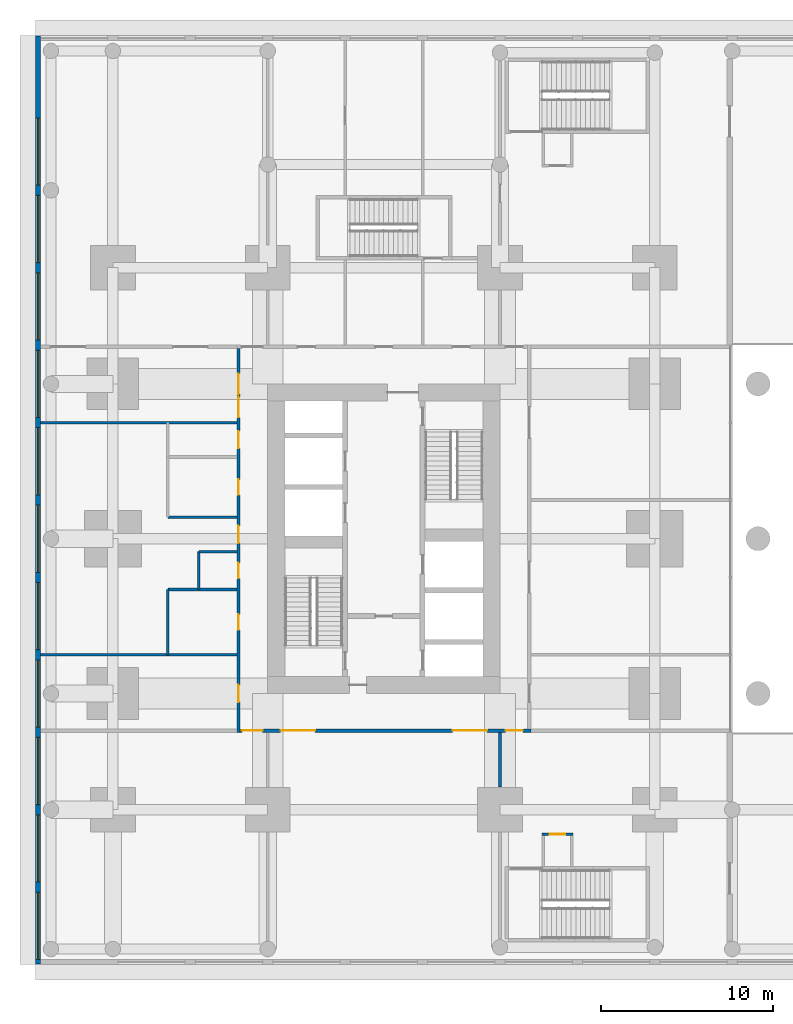
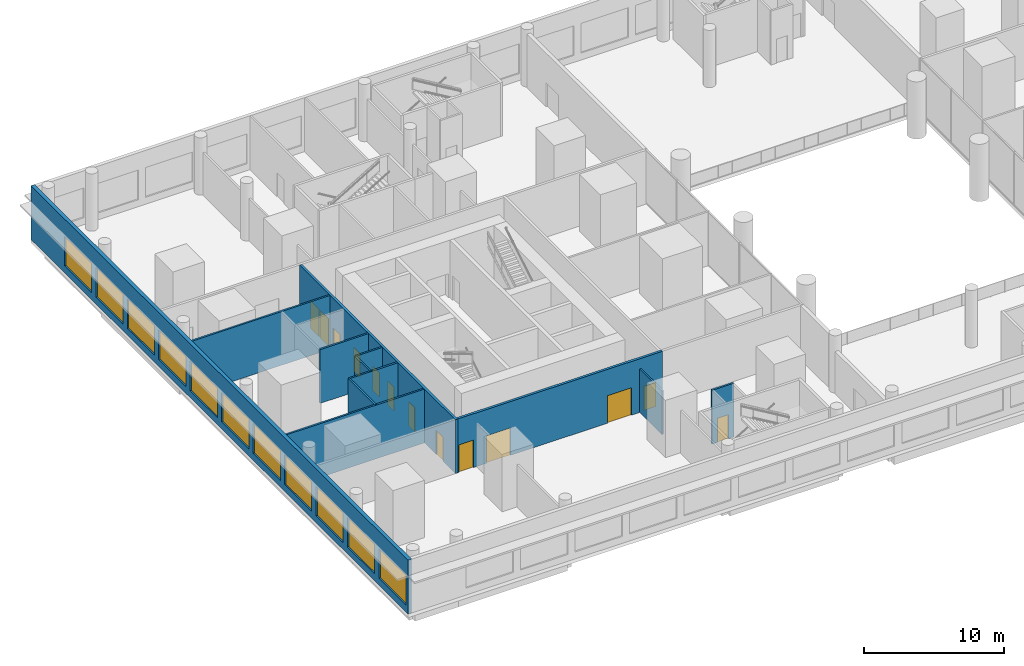
# One storey, part 9 of 21: 13 doors, 12 walls, 11 windows, 24 openings.
"""IFC4 building model written with IfcOpenShell, lengths in metres."""

from ifc_helpers import new_model, si_unit, direction, frame, frame_2d, origin, place, context, subcontext, project, spatial, rectangle, extrude, material, layer, layer_set, type_object, element, fill, save


model = new_model("IFC4")

# Units and contexts
model_context = context("Model", 3, precision=1e-05, world=origin(), true_north=direction((0.0, 1.0)))
body_context = subcontext(model_context, "Body", "Model", "MODEL_VIEW")
ifc_project = project(units=[si_unit("LENGTHUNIT", "METRE"), si_unit("AREAUNIT", "SQUARE_METRE"), si_unit("VOLUMEUNIT", "CUBIC_METRE"), si_unit("PLANEANGLEUNIT", "RADIAN"), si_unit("MASSUNIT", "GRAM", prefix="KILO")], contexts=[model_context])

# Site, building, storey
site_placement = place(None, origin())
site = spatial("IfcSite", under=ifc_project, at=site_placement, CompositionType="ELEMENT")
building_placement = place(site_placement, origin())
building = spatial("IfcBuilding", under=site, at=building_placement, Name="Namib Vertical Campus", CompositionType="ELEMENT")
storey_placement = place(building_placement, frame((0.0, 0.0, 6.0)))
storey = spatial("IfcBuildingStorey", under=building, at=storey_placement, Name="L01", CompositionType="ELEMENT", Elevation=6.0)

# Wall, openings, doors
ifc_material_1 = material(Name="Concrete masonry", Category="masonry")
ifc_layer_1 = layer(ifc_material_1, 0.199951171875)
ifc_layer_set_1 = layer_set([ifc_layer_1], Name="Corridor wall 200")
wall_type_1 = type_object("IfcWallType", Name="Corridor wall 200", PredefinedType="SOLIDWALL", material=ifc_layer_set_1)
wall_1_placement = place(storey_placement, frame((11.89990234375, 9.10009765625, 0.0), z_axis=(0.0, 0.0, 1.0), x_axis=(1.0, 0.0, 0.0)))
wall_1 = element("IfcWall", 1, at=wall_1_placement, inside=storey, type_object=wall_type_1, Name="Corridor wall A L01 CS", PredefinedType="SOLIDWALL", context=body_context, shape_type="SweptSolid", body=[
    extrude(rectangle(XDim=16.900146484375, YDim=0.199951171875, at=frame_2d((8.4501953125, 0.0))), origin(), (0.0, 0.0, 1.0), 4.699951171875),
])
opening_1_placement = place(wall_1_placement, frame((0.10009765625, 0.0, 0.0)))
opening_1 = element("IfcOpeningElement", 2, at=opening_1_placement, cuts=wall_1, Name="Opening AD2", PredefinedType="OPENING", context=body_context, shape_type="SweptSolid", body=[
    extrude(rectangle(XDim=1.199951171875, YDim=2.39990234375, at=frame_2d((0.60009765625, 1.199951171875))), frame((0.0, 0.10986328125, 0.0), z_axis=(0.0, -1.0, 0.0), x_axis=(1.0, 0.0, 0.0)), (0.0, 0.0, 1.0), 0.219970703125),
])
opening_2_placement = place(wall_1_placement, frame((2.35009765625, 0.0, 0.0)))
opening_2 = element("IfcOpeningElement", 3, at=opening_2_placement, cuts=wall_1, Name="Opening AD1", PredefinedType="OPENING", context=body_context, shape_type="SweptSolid", body=[
    extrude(rectangle(XDim=2.0, YDim=2.39990234375, at=frame_2d((1.0, 1.199951171875))), frame((0.0, 0.10986328125, 0.0), z_axis=(0.0, -1.0, 0.0), x_axis=(1.0, 0.0, 0.0)), (0.0, 0.0, 1.0), 0.219970703125),
])
opening_3_placement = place(wall_1_placement, frame((12.35009765625, 0.0, 0.0)))
opening_3 = element("IfcOpeningElement", 4, at=opening_3_placement, cuts=wall_1, Name="Opening AD1", PredefinedType="OPENING", context=body_context, shape_type="SweptSolid", body=[
    extrude(rectangle(XDim=2.0, YDim=2.39990234375, at=frame_2d((1.0, 1.199951171875))), frame((0.0, 0.10986328125, 0.0), z_axis=(0.0, -1.0, 0.0), x_axis=(1.0, 0.0, 0.0)), (0.0, 0.0, 1.0), 0.219970703125),
])
opening_4_placement = place(wall_1_placement, frame((15.425048828125, 0.0, 0.0)))
opening_4 = element("IfcOpeningElement", 5, at=opening_4_placement, cuts=wall_1, Name="Opening CD1", PredefinedType="OPENING", context=body_context, shape_type="SweptSolid", body=[
    extrude(rectangle(XDim=1.0, YDim=2.10009765625, at=frame_2d((0.5, 1.050048828125))), frame((0.0, 0.10986328125, 0.0), z_axis=(0.0, -1.0, 0.0), x_axis=(1.0, 0.0, 0.0)), (0.0, 0.0, 1.0), 0.219970703125),
])
ifc_material_2 = material(Name="Timber fire door leaf", Category="wood")
door_type_1 = type_object("IfcDoorType", Name="Corridor door 1000x2100 20 min", OperationType="SINGLE_SWING_LEFT", PredefinedType="DOOR", material=ifc_material_2)
door_1_placement = place(opening_4_placement, frame((1.0, 0.0, 0.0), z_axis=(0.0, 0.0, 1.0), x_axis=(-1.0, 0.0, 0.0)))
door_1 = element("IfcDoor", 6, at=door_1_placement, inside=storey, type_object=door_type_1, Name="Door CD1 A01-03", OperationType="SINGLE_SWING_RIGHT", OverallHeight=2.10009765625, OverallWidth=1.0, PredefinedType="DOOR", context=body_context, shape_type="SweptSolid", body=[
    extrude(rectangle(XDim=1.0, YDim=2.10009765625, at=frame_2d((0.5, 1.050048828125))), frame((0.0, 0.02490234375, 0.0), z_axis=(0.0, -1.0, 0.0), x_axis=(1.0, 0.0, 0.0)), (0.0, 0.0, 1.0), 0.050048828125),
])
fill(opening_4, door_1)
ifc_material_3 = material(Name="Timber acoustic fire door leaf", Category="wood")
door_type_2 = type_object("IfcDoorType", Name="Lecture room door single 1200x2400 acoustic", OperationType="SINGLE_SWING_LEFT", PredefinedType="DOOR", material=ifc_material_3)
door_2_placement = place(opening_1_placement, frame((1.199951171875, 0.0, 0.0), z_axis=(0.0, 0.0, 1.0), x_axis=(-1.0, 0.0, 0.0)))
door_2 = element("IfcDoor", 7, at=door_2_placement, inside=storey, type_object=door_type_2, Name="Door AD2 A01-01", OperationType="SINGLE_SWING_LEFT", OverallHeight=2.39990234375, OverallWidth=1.199951171875, PredefinedType="DOOR", context=body_context, shape_type="SweptSolid", body=[
    extrude(rectangle(XDim=1.199951171875, YDim=2.39990234375, at=frame_2d((0.60009765625, 1.199951171875))), frame((0.0, 0.02490234375, 0.0), z_axis=(0.0, -1.0, 0.0), x_axis=(1.0, 0.0, 0.0)), (0.0, 0.0, 1.0), 0.050048828125),
])
fill(opening_1, door_2)
ifc_material_4 = material(Name="Timber acoustic fire door leaf", Category="wood")
door_type_3 = type_object("IfcDoorType", Name="Lecture theatre door pair 2000x2400 acoustic", OperationType="DOUBLE_DOOR_SINGLE_SWING", PredefinedType="DOOR", material=ifc_material_4)
door_3_placement = place(opening_2_placement, origin())
door_3 = element("IfcDoor", 8, at=door_3_placement, inside=storey, type_object=door_type_3, Name="Door AD1 A01-02", OperationType="DOUBLE_DOOR_SINGLE_SWING", OverallHeight=2.39990234375, OverallWidth=2.0, PredefinedType="DOOR", context=body_context, shape_type="SweptSolid", body=[
    extrude(rectangle(XDim=2.0, YDim=2.39990234375, at=frame_2d((1.0, 1.199951171875))), frame((0.0, 0.02490234375, 0.0), z_axis=(0.0, -1.0, 0.0), x_axis=(1.0, 0.0, 0.0)), (0.0, 0.0, 1.0), 0.050048828125),
])
fill(opening_2, door_3)
door_4_placement = place(opening_3_placement, origin())
door_4 = element("IfcDoor", 9, at=door_4_placement, inside=storey, type_object=door_type_3, Name="Door AD1 A01-02 2", OperationType="DOUBLE_DOOR_SINGLE_SWING", OverallHeight=2.39990234375, OverallWidth=2.0, PredefinedType="DOOR", context=body_context, shape_type="SweptSolid", body=[
    extrude(rectangle(XDim=2.0, YDim=2.39990234375, at=frame_2d((1.0, 1.199951171875))), frame((0.0, 0.02490234375, 0.0), z_axis=(0.0, -1.0, 0.0), x_axis=(1.0, 0.0, 0.0)), (0.0, 0.0, 1.0), 0.050048828125),
])
fill(opening_3, door_4)

wall_2_placement = place(storey_placement, frame((11.800048828125, 31.300048828125, 0.0), z_axis=(0.0, 0.0, 1.0), x_axis=(0.0, -1.0, 0.0)))
wall_2 = element("IfcWall", 10, at=wall_2_placement, inside=storey, type_object=wall_type_1, Name="Corridor wall A L01 CW", PredefinedType="SOLIDWALL", context=body_context, shape_type="SweptSolid", body=[
    extrude(rectangle(XDim=22.300048828125, YDim=0.199951171875, at=frame_2d((11.14990234375, 0.0))), origin(), (0.0, 0.0, 1.0), 4.699951171875),
])
opening_5_placement = place(wall_2_placement, frame((19.550048828125, 0.0, 0.0)))
opening_5 = element("IfcOpeningElement", 11, at=opening_5_placement, cuts=wall_2, Name="Opening CD1", PredefinedType="OPENING", context=body_context, shape_type="SweptSolid", body=[
    extrude(rectangle(XDim=1.0, YDim=2.10009765625, at=frame_2d((0.5, 1.050048828125))), frame((0.0, 0.10986328125, 0.0), z_axis=(0.0, -1.0, 0.0), x_axis=(1.0, 0.0, 0.0)), (0.0, 0.0, 1.0), 0.219970703125),
])
opening_6_placement = place(wall_2_placement, frame((15.449951171875, 0.0, 0.0)))
opening_6 = element("IfcOpeningElement", 12, at=opening_6_placement, cuts=wall_2, Name="Opening CD3", PredefinedType="OPENING", context=body_context, shape_type="SweptSolid", body=[
    extrude(rectangle(XDim=0.89990234375, YDim=2.10009765625, at=frame_2d((0.449951171875, 1.050048828125))), frame((0.0, 0.10986328125, 0.0), z_axis=(0.0, -1.0, 0.0), x_axis=(1.0, 0.0, 0.0)), (0.0, 0.0, 1.0), 0.219970703125),
])
opening_7_placement = place(wall_2_placement, frame((12.449951171875, 0.0, 0.0)))
opening_7 = element("IfcOpeningElement", 13, at=opening_7_placement, cuts=wall_2, Name="Opening CD3", PredefinedType="OPENING", context=body_context, shape_type="SweptSolid", body=[
    extrude(rectangle(XDim=0.89990234375, YDim=2.10009765625, at=frame_2d((0.449951171875, 1.050048828125))), frame((0.0, 0.10986328125, 0.0), z_axis=(0.0, -1.0, 0.0), x_axis=(1.0, 0.0, 0.0)), (0.0, 0.0, 1.0), 0.219970703125),
])
opening_8_placement = place(wall_2_placement, frame((7.60009765625, 0.0, 0.0)))
opening_8 = element("IfcOpeningElement", 14, at=opening_8_placement, cuts=wall_2, Name="Opening CD3", PredefinedType="OPENING", context=body_context, shape_type="SweptSolid", body=[
    extrude(rectangle(XDim=0.89990234375, YDim=2.10009765625, at=frame_2d((0.449951171875, 1.050048828125))), frame((0.0, 0.10986328125, 0.0), z_axis=(0.0, -1.0, 0.0), x_axis=(1.0, 0.0, 0.0)), (0.0, 0.0, 1.0), 0.219970703125),
])
opening_9_placement = place(wall_2_placement, frame((4.800048828125, 0.0, 0.0)))
opening_9 = element("IfcOpeningElement", 15, at=opening_9_placement, cuts=wall_2, Name="Opening CD1", PredefinedType="OPENING", context=body_context, shape_type="SweptSolid", body=[
    extrude(rectangle(XDim=1.0, YDim=2.10009765625, at=frame_2d((0.5, 1.050048828125))), frame((0.0, 0.10986328125, 0.0), z_axis=(0.0, -1.0, 0.0), x_axis=(1.0, 0.0, 0.0)), (0.0, 0.0, 1.0), 0.219970703125),
])
opening_10_placement = place(wall_2_placement, frame((10.300048828125, 0.0, 0.0)))
opening_10 = element("IfcOpeningElement", 16, at=opening_10_placement, cuts=wall_2, Name="Opening CD1", PredefinedType="OPENING", context=body_context, shape_type="SweptSolid", body=[
    extrude(rectangle(XDim=1.0, YDim=2.10009765625, at=frame_2d((0.5, 1.050048828125))), frame((0.0, 0.10986328125, 0.0), z_axis=(0.0, -1.0, 0.0), x_axis=(1.0, 0.0, 0.0)), (0.0, 0.0, 1.0), 0.219970703125),
])
opening_11_placement = place(wall_2_placement, frame((2.800048828125, 0.0, 0.0)))
opening_11 = element("IfcOpeningElement", 17, at=opening_11_placement, cuts=wall_2, Name="Opening AD2", PredefinedType="OPENING", context=body_context, shape_type="SweptSolid", body=[
    extrude(rectangle(XDim=1.199951171875, YDim=2.39990234375, at=frame_2d((0.60009765625, 1.199951171875))), frame((0.0, 0.10986328125, 0.0), z_axis=(0.0, -1.0, 0.0), x_axis=(1.0, 0.0, 0.0)), (0.0, 0.0, 1.0), 0.219970703125),
])
opening_12_placement = place(wall_2_placement, frame((1.449951171875, 0.0, 0.0)))
opening_12 = element("IfcOpeningElement", 18, at=opening_12_placement, cuts=wall_2, Name="Opening AD2", PredefinedType="OPENING", context=body_context, shape_type="SweptSolid", body=[
    extrude(rectangle(XDim=1.199951171875, YDim=2.39990234375, at=frame_2d((0.60009765625, 1.199951171875))), frame((0.0, 0.10986328125, 0.0), z_axis=(0.0, -1.0, 0.0), x_axis=(1.0, 0.0, 0.0)), (0.0, 0.0, 1.0), 0.219970703125),
])
door_5_placement = place(opening_5_placement, frame((1.0, 0.0, 0.0), z_axis=(0.0, 0.0, 1.0), x_axis=(-1.0, 0.0, 0.0)))
door_5 = element("IfcDoor", 19, at=door_5_placement, inside=storey, type_object=door_type_1, Name="Door CD1 A01-11", OperationType="SINGLE_SWING_RIGHT", OverallHeight=2.10009765625, OverallWidth=1.0, PredefinedType="DOOR", context=body_context, shape_type="SweptSolid", body=[
    extrude(rectangle(XDim=1.0, YDim=2.10009765625, at=frame_2d((0.5, 1.050048828125))), frame((0.0, 0.02490234375, 0.0), z_axis=(0.0, -1.0, 0.0), x_axis=(1.0, 0.0, 0.0)), (0.0, 0.0, 1.0), 0.050048828125),
])
fill(opening_5, door_5)
door_6_placement = place(opening_9_placement, frame((1.0, 0.0, 0.0), z_axis=(0.0, 0.0, 1.0), x_axis=(-1.0, 0.0, 0.0)))
door_6 = element("IfcDoor", 20, at=door_6_placement, inside=storey, type_object=door_type_1, Name="Door CD1 A01-15", OperationType="SINGLE_SWING_RIGHT", OverallHeight=2.10009765625, OverallWidth=1.0, PredefinedType="DOOR", context=body_context, shape_type="SweptSolid", body=[
    extrude(rectangle(XDim=1.0, YDim=2.10009765625, at=frame_2d((0.5, 1.050048828125))), frame((0.0, 0.02490234375, 0.0), z_axis=(0.0, -1.0, 0.0), x_axis=(1.0, 0.0, 0.0)), (0.0, 0.0, 1.0), 0.050048828125),
])
fill(opening_9, door_6)
door_7_placement = place(opening_10_placement, frame((1.0, 0.0, 0.0), z_axis=(0.0, 0.0, 1.0), x_axis=(-1.0, 0.0, 0.0)))
door_7 = element("IfcDoor", 21, at=door_7_placement, inside=storey, type_object=door_type_1, Name="Door CD1 A01-16", OperationType="SINGLE_SWING_RIGHT", OverallHeight=2.10009765625, OverallWidth=1.0, PredefinedType="DOOR", context=body_context, shape_type="SweptSolid", body=[
    extrude(rectangle(XDim=1.0, YDim=2.10009765625, at=frame_2d((0.5, 1.050048828125))), frame((0.0, 0.02490234375, 0.0), z_axis=(0.0, -1.0, 0.0), x_axis=(1.0, 0.0, 0.0)), (0.0, 0.0, 1.0), 0.050048828125),
])
fill(opening_10, door_7)
ifc_material_5 = material(Name="Timber fire door leaf", Category="wood")
door_type_4 = type_object("IfcDoorType", Name="Corridor toilet door 900x2100 20 min", OperationType="SINGLE_SWING_LEFT", PredefinedType="DOOR", material=ifc_material_5)
door_8_placement = place(opening_6_placement, frame((0.89990234375, 0.0, 0.0), z_axis=(0.0, 0.0, 1.0), x_axis=(-1.0, 0.0, 0.0)))
door_8 = element("IfcDoor", 22, at=door_8_placement, inside=storey, type_object=door_type_4, Name="Door CD3 A01-12", OperationType="SINGLE_SWING_RIGHT", OverallHeight=2.10009765625, OverallWidth=0.89990234375, PredefinedType="DOOR", context=body_context, shape_type="SweptSolid", body=[
    extrude(rectangle(XDim=0.89990234375, YDim=2.10009765625, at=frame_2d((0.449951171875, 1.050048828125))), frame((0.0, 0.02490234375, 0.0), z_axis=(0.0, -1.0, 0.0), x_axis=(1.0, 0.0, 0.0)), (0.0, 0.0, 1.0), 0.050048828125),
])
fill(opening_6, door_8)
door_9_placement = place(opening_7_placement, frame((0.89990234375, 0.0, 0.0), z_axis=(0.0, 0.0, 1.0), x_axis=(-1.0, 0.0, 0.0)))
door_9 = element("IfcDoor", 23, at=door_9_placement, inside=storey, type_object=door_type_4, Name="Door CD3 A01-13", OperationType="SINGLE_SWING_RIGHT", OverallHeight=2.10009765625, OverallWidth=0.89990234375, PredefinedType="DOOR", context=body_context, shape_type="SweptSolid", body=[
    extrude(rectangle(XDim=0.89990234375, YDim=2.10009765625, at=frame_2d((0.449951171875, 1.050048828125))), frame((0.0, 0.02490234375, 0.0), z_axis=(0.0, -1.0, 0.0), x_axis=(1.0, 0.0, 0.0)), (0.0, 0.0, 1.0), 0.050048828125),
])
fill(opening_7, door_9)
door_10_placement = place(opening_8_placement, frame((0.89990234375, 0.0, 0.0), z_axis=(0.0, 0.0, 1.0), x_axis=(-1.0, 0.0, 0.0)))
door_10 = element("IfcDoor", 24, at=door_10_placement, inside=storey, type_object=door_type_4, Name="Door CD3 A01-14", OperationType="SINGLE_SWING_RIGHT", OverallHeight=2.10009765625, OverallWidth=0.89990234375, PredefinedType="DOOR", context=body_context, shape_type="SweptSolid", body=[
    extrude(rectangle(XDim=0.89990234375, YDim=2.10009765625, at=frame_2d((0.449951171875, 1.050048828125))), frame((0.0, 0.02490234375, 0.0), z_axis=(0.0, -1.0, 0.0), x_axis=(1.0, 0.0, 0.0)), (0.0, 0.0, 1.0), 0.050048828125),
])
fill(opening_8, door_10)
door_11_placement = place(opening_11_placement, origin())
door_11 = element("IfcDoor", 25, at=door_11_placement, inside=storey, type_object=door_type_2, Name="Door AD2 A01-17", OperationType="SINGLE_SWING_LEFT", OverallHeight=2.39990234375, OverallWidth=1.199951171875, PredefinedType="DOOR", context=body_context, shape_type="SweptSolid", body=[
    extrude(rectangle(XDim=1.199951171875, YDim=2.39990234375, at=frame_2d((0.60009765625, 1.199951171875))), frame((0.0, 0.02490234375, 0.0), z_axis=(0.0, -1.0, 0.0), x_axis=(1.0, 0.0, 0.0)), (0.0, 0.0, 1.0), 0.050048828125),
])
fill(opening_11, door_11)
door_12_placement = place(opening_12_placement, origin())
door_12 = element("IfcDoor", 26, at=door_12_placement, inside=storey, type_object=door_type_2, Name="Door AD2 A01-17 2", OperationType="SINGLE_SWING_LEFT", OverallHeight=2.39990234375, OverallWidth=1.199951171875, PredefinedType="DOOR", context=body_context, shape_type="SweptSolid", body=[
    extrude(rectangle(XDim=1.199951171875, YDim=2.39990234375, at=frame_2d((0.60009765625, 1.199951171875))), frame((0.0, 0.02490234375, 0.0), z_axis=(0.0, -1.0, 0.0), x_axis=(1.0, 0.0, 0.0)), (0.0, 0.0, 1.0), 0.050048828125),
])
fill(opening_12, door_12)

# Wall, openings, windows
ifc_material_6 = material(Name="Concrete C40/50", Category="concrete")
ifc_layer_2 = layer(ifc_material_6, 0.300048828125)
ifc_layer_set_2 = layer_set([ifc_layer_2], Name="Concrete C40/50")
wall_type_2 = type_object("IfcWallType", Name="External wall 300 board-marked concrete", PredefinedType="STANDARD", material=ifc_layer_set_2)
wall_3_placement = place(storey_placement, frame((0.14990234375, 49.47998046875, 0.0), z_axis=(0.0, 0.0, 1.0), x_axis=(0.0, -1.0, 0.0)))
wall_3 = element("IfcWall", 27, at=wall_3_placement, inside=storey, type_object=wall_type_2, Name="External wall L01 F4", PredefinedType="STANDARD", context=body_context, shape_type="SweptSolid", body=[
    extrude(rectangle(XDim=53.9599609375, YDim=0.300048828125, at=frame_2d((26.97998046875, 0.0))), origin(), (0.0, 0.0, 1.0), 4.699951171875),
])
opening_13_placement = place(wall_3_placement, frame((49.780029296875, 0.0, 0.60009765625)))
opening_13 = element("IfcOpeningElement", 28, at=opening_13_placement, cuts=wall_3, Name="Opening W2", PredefinedType="OPENING", context=body_context, shape_type="SweptSolid", body=[
    extrude(rectangle(XDim=3.89990234375, YDim=2.60009765625, at=frame_2d((1.949951171875, 1.300048828125))), frame((0.0, 0.159912109375, 0.0), z_axis=(0.0, -1.0, 0.0), x_axis=(1.0, 0.0, 0.0)), (0.0, 0.0, 1.0), 0.320068359375),
])
opening_14_placement = place(wall_3_placement, frame((45.280029296875, 0.0, 0.60009765625)))
opening_14 = element("IfcOpeningElement", 29, at=opening_14_placement, cuts=wall_3, Name="Opening W2", PredefinedType="OPENING", context=body_context, shape_type="SweptSolid", body=[
    extrude(rectangle(XDim=3.89990234375, YDim=2.60009765625, at=frame_2d((1.949951171875, 1.300048828125))), frame((0.0, 0.159912109375, 0.0), z_axis=(0.0, -1.0, 0.0), x_axis=(1.0, 0.0, 0.0)), (0.0, 0.0, 1.0), 0.320068359375),
])
opening_15_placement = place(wall_3_placement, frame((40.780029296875, 0.0, 0.60009765625)))
opening_15 = element("IfcOpeningElement", 30, at=opening_15_placement, cuts=wall_3, Name="Opening W2", PredefinedType="OPENING", context=body_context, shape_type="SweptSolid", body=[
    extrude(rectangle(XDim=3.89990234375, YDim=2.60009765625, at=frame_2d((1.949951171875, 1.300048828125))), frame((0.0, 0.159912109375, 0.0), z_axis=(0.0, -1.0, 0.0), x_axis=(1.0, 0.0, 0.0)), (0.0, 0.0, 1.0), 0.320068359375),
])
opening_16_placement = place(wall_3_placement, frame((36.280029296875, 0.0, 0.60009765625)))
opening_16 = element("IfcOpeningElement", 31, at=opening_16_placement, cuts=wall_3, Name="Opening W2", PredefinedType="OPENING", context=body_context, shape_type="SweptSolid", body=[
    extrude(rectangle(XDim=3.89990234375, YDim=2.60009765625, at=frame_2d((1.949951171875, 1.300048828125))), frame((0.0, 0.159912109375, 0.0), z_axis=(0.0, -1.0, 0.0), x_axis=(1.0, 0.0, 0.0)), (0.0, 0.0, 1.0), 0.320068359375),
])
opening_17_placement = place(wall_3_placement, frame((31.780029296875, 0.0, 0.60009765625)))
opening_17 = element("IfcOpeningElement", 32, at=opening_17_placement, cuts=wall_3, Name="Opening W2", PredefinedType="OPENING", context=body_context, shape_type="SweptSolid", body=[
    extrude(rectangle(XDim=3.89990234375, YDim=2.60009765625, at=frame_2d((1.949951171875, 1.300048828125))), frame((0.0, 0.159912109375, 0.0), z_axis=(0.0, -1.0, 0.0), x_axis=(1.0, 0.0, 0.0)), (0.0, 0.0, 1.0), 0.320068359375),
])
opening_18_placement = place(wall_3_placement, frame((27.280029296875, 0.0, 0.60009765625)))
opening_18 = element("IfcOpeningElement", 33, at=opening_18_placement, cuts=wall_3, Name="Opening W2", PredefinedType="OPENING", context=body_context, shape_type="SweptSolid", body=[
    extrude(rectangle(XDim=3.89990234375, YDim=2.60009765625, at=frame_2d((1.949951171875, 1.300048828125))), frame((0.0, 0.159912109375, 0.0), z_axis=(0.0, -1.0, 0.0), x_axis=(1.0, 0.0, 0.0)), (0.0, 0.0, 1.0), 0.320068359375),
])
opening_19_placement = place(wall_3_placement, frame((22.780029296875, 0.0, 0.60009765625)))
opening_19 = element("IfcOpeningElement", 34, at=opening_19_placement, cuts=wall_3, Name="Opening W2", PredefinedType="OPENING", context=body_context, shape_type="SweptSolid", body=[
    extrude(rectangle(XDim=3.89990234375, YDim=2.60009765625, at=frame_2d((1.949951171875, 1.300048828125))), frame((0.0, 0.159912109375, 0.0), z_axis=(0.0, -1.0, 0.0), x_axis=(1.0, 0.0, 0.0)), (0.0, 0.0, 1.0), 0.320068359375),
])
opening_20_placement = place(wall_3_placement, frame((18.280029296875, 0.0, 0.60009765625)))
opening_20 = element("IfcOpeningElement", 35, at=opening_20_placement, cuts=wall_3, Name="Opening W2", PredefinedType="OPENING", context=body_context, shape_type="SweptSolid", body=[
    extrude(rectangle(XDim=3.89990234375, YDim=2.60009765625, at=frame_2d((1.949951171875, 1.300048828125))), frame((0.0, 0.159912109375, 0.0), z_axis=(0.0, -1.0, 0.0), x_axis=(1.0, 0.0, 0.0)), (0.0, 0.0, 1.0), 0.320068359375),
])
opening_21_placement = place(wall_3_placement, frame((13.780029296875, 0.0, 0.60009765625)))
opening_21 = element("IfcOpeningElement", 36, at=opening_21_placement, cuts=wall_3, Name="Opening W2", PredefinedType="OPENING", context=body_context, shape_type="SweptSolid", body=[
    extrude(rectangle(XDim=3.89990234375, YDim=2.60009765625, at=frame_2d((1.949951171875, 1.300048828125))), frame((0.0, 0.159912109375, 0.0), z_axis=(0.0, -1.0, 0.0), x_axis=(1.0, 0.0, 0.0)), (0.0, 0.0, 1.0), 0.320068359375),
])
opening_22_placement = place(wall_3_placement, frame((9.280029296875, 0.0, 0.60009765625)))
opening_22 = element("IfcOpeningElement", 37, at=opening_22_placement, cuts=wall_3, Name="Opening W2", PredefinedType="OPENING", context=body_context, shape_type="SweptSolid", body=[
    extrude(rectangle(XDim=3.89990234375, YDim=2.60009765625, at=frame_2d((1.949951171875, 1.300048828125))), frame((0.0, 0.159912109375, 0.0), z_axis=(0.0, -1.0, 0.0), x_axis=(1.0, 0.0, 0.0)), (0.0, 0.0, 1.0), 0.320068359375),
])
opening_23_placement = place(wall_3_placement, frame((4.780029296875, 0.0, 0.60009765625)))
opening_23 = element("IfcOpeningElement", 38, at=opening_23_placement, cuts=wall_3, Name="Opening W2", PredefinedType="OPENING", context=body_context, shape_type="SweptSolid", body=[
    extrude(rectangle(XDim=3.89990234375, YDim=2.60009765625, at=frame_2d((1.949951171875, 1.300048828125))), frame((0.0, 0.159912109375, 0.0), z_axis=(0.0, -1.0, 0.0), x_axis=(1.0, 0.0, 0.0)), (0.0, 0.0, 1.0), 0.320068359375),
])
ifc_material_7 = material(Name="Dark tinted glass in black aluminium frame", Category="aluminium")
window_type = type_object("IfcWindowType", Name="Ribbon window 3900x2600", PartitioningType="SINGLE_PANEL", PredefinedType="WINDOW", material=ifc_material_7)
window_1_placement = place(opening_13_placement, origin())
window_1 = element("IfcWindow", 39, at=window_1_placement, inside=storey, type_object=window_type, Name="Window W2 L01 F4-1", OverallHeight=2.60009765625, OverallWidth=3.89990234375, PartitioningType="SINGLE_PANEL", PredefinedType="WINDOW", context=body_context, shape_type="SweptSolid", body=[
    extrude(rectangle(XDim=3.89990234375, YDim=2.60009765625, at=frame_2d((1.949951171875, 1.300048828125))), frame((0.0, 0.030029296875, 0.0), z_axis=(0.0, -1.0, 0.0), x_axis=(1.0, 0.0, 0.0)), (0.0, 0.0, 1.0), 0.06005859375),
])
fill(opening_13, window_1)
window_2_placement = place(opening_14_placement, origin())
window_2 = element("IfcWindow", 40, at=window_2_placement, inside=storey, type_object=window_type, Name="Window W2 L01 F4-2", OverallHeight=2.60009765625, OverallWidth=3.89990234375, PartitioningType="SINGLE_PANEL", PredefinedType="WINDOW", context=body_context, shape_type="SweptSolid", body=[
    extrude(rectangle(XDim=3.89990234375, YDim=2.60009765625, at=frame_2d((1.949951171875, 1.300048828125))), frame((0.0, 0.030029296875, 0.0), z_axis=(0.0, -1.0, 0.0), x_axis=(1.0, 0.0, 0.0)), (0.0, 0.0, 1.0), 0.06005859375),
])
fill(opening_14, window_2)
window_3_placement = place(opening_15_placement, origin())
window_3 = element("IfcWindow", 41, at=window_3_placement, inside=storey, type_object=window_type, Name="Window W2 L01 F4-3", OverallHeight=2.60009765625, OverallWidth=3.89990234375, PartitioningType="SINGLE_PANEL", PredefinedType="WINDOW", context=body_context, shape_type="SweptSolid", body=[
    extrude(rectangle(XDim=3.89990234375, YDim=2.60009765625, at=frame_2d((1.949951171875, 1.300048828125))), frame((0.0, 0.030029296875, 0.0), z_axis=(0.0, -1.0, 0.0), x_axis=(1.0, 0.0, 0.0)), (0.0, 0.0, 1.0), 0.06005859375),
])
fill(opening_15, window_3)
window_4_placement = place(opening_16_placement, origin())
window_4 = element("IfcWindow", 42, at=window_4_placement, inside=storey, type_object=window_type, Name="Window W2 L01 F4-4", OverallHeight=2.60009765625, OverallWidth=3.89990234375, PartitioningType="SINGLE_PANEL", PredefinedType="WINDOW", context=body_context, shape_type="SweptSolid", body=[
    extrude(rectangle(XDim=3.89990234375, YDim=2.60009765625, at=frame_2d((1.949951171875, 1.300048828125))), frame((0.0, 0.030029296875, 0.0), z_axis=(0.0, -1.0, 0.0), x_axis=(1.0, 0.0, 0.0)), (0.0, 0.0, 1.0), 0.06005859375),
])
fill(opening_16, window_4)
window_5_placement = place(opening_17_placement, origin())
window_5 = element("IfcWindow", 43, at=window_5_placement, inside=storey, type_object=window_type, Name="Window W2 L01 F4-5", OverallHeight=2.60009765625, OverallWidth=3.89990234375, PartitioningType="SINGLE_PANEL", PredefinedType="WINDOW", context=body_context, shape_type="SweptSolid", body=[
    extrude(rectangle(XDim=3.89990234375, YDim=2.60009765625, at=frame_2d((1.949951171875, 1.300048828125))), frame((0.0, 0.030029296875, 0.0), z_axis=(0.0, -1.0, 0.0), x_axis=(1.0, 0.0, 0.0)), (0.0, 0.0, 1.0), 0.06005859375),
])
fill(opening_17, window_5)
window_6_placement = place(opening_18_placement, origin())
window_6 = element("IfcWindow", 44, at=window_6_placement, inside=storey, type_object=window_type, Name="Window W2 L01 F4-6", OverallHeight=2.60009765625, OverallWidth=3.89990234375, PartitioningType="SINGLE_PANEL", PredefinedType="WINDOW", context=body_context, shape_type="SweptSolid", body=[
    extrude(rectangle(XDim=3.89990234375, YDim=2.60009765625, at=frame_2d((1.949951171875, 1.300048828125))), frame((0.0, 0.030029296875, 0.0), z_axis=(0.0, -1.0, 0.0), x_axis=(1.0, 0.0, 0.0)), (0.0, 0.0, 1.0), 0.06005859375),
])
fill(opening_18, window_6)
window_7_placement = place(opening_19_placement, origin())
window_7 = element("IfcWindow", 45, at=window_7_placement, inside=storey, type_object=window_type, Name="Window W2 L01 F4-7", OverallHeight=2.60009765625, OverallWidth=3.89990234375, PartitioningType="SINGLE_PANEL", PredefinedType="WINDOW", context=body_context, shape_type="SweptSolid", body=[
    extrude(rectangle(XDim=3.89990234375, YDim=2.60009765625, at=frame_2d((1.949951171875, 1.300048828125))), frame((0.0, 0.030029296875, 0.0), z_axis=(0.0, -1.0, 0.0), x_axis=(1.0, 0.0, 0.0)), (0.0, 0.0, 1.0), 0.06005859375),
])
fill(opening_19, window_7)
window_8_placement = place(opening_20_placement, origin())
window_8 = element("IfcWindow", 46, at=window_8_placement, inside=storey, type_object=window_type, Name="Window W2 L01 F4-8", OverallHeight=2.60009765625, OverallWidth=3.89990234375, PartitioningType="SINGLE_PANEL", PredefinedType="WINDOW", context=body_context, shape_type="SweptSolid", body=[
    extrude(rectangle(XDim=3.89990234375, YDim=2.60009765625, at=frame_2d((1.949951171875, 1.300048828125))), frame((0.0, 0.030029296875, 0.0), z_axis=(0.0, -1.0, 0.0), x_axis=(1.0, 0.0, 0.0)), (0.0, 0.0, 1.0), 0.06005859375),
])
fill(opening_20, window_8)
window_9_placement = place(opening_21_placement, origin())
window_9 = element("IfcWindow", 47, at=window_9_placement, inside=storey, type_object=window_type, Name="Window W2 L01 F4-9", OverallHeight=2.60009765625, OverallWidth=3.89990234375, PartitioningType="SINGLE_PANEL", PredefinedType="WINDOW", context=body_context, shape_type="SweptSolid", body=[
    extrude(rectangle(XDim=3.89990234375, YDim=2.60009765625, at=frame_2d((1.949951171875, 1.300048828125))), frame((0.0, 0.030029296875, 0.0), z_axis=(0.0, -1.0, 0.0), x_axis=(1.0, 0.0, 0.0)), (0.0, 0.0, 1.0), 0.06005859375),
])
fill(opening_21, window_9)
window_10_placement = place(opening_22_placement, origin())
window_10 = element("IfcWindow", 48, at=window_10_placement, inside=storey, type_object=window_type, Name="Window W2 L01 F4-10", OverallHeight=2.60009765625, OverallWidth=3.89990234375, PartitioningType="SINGLE_PANEL", PredefinedType="WINDOW", context=body_context, shape_type="SweptSolid", body=[
    extrude(rectangle(XDim=3.89990234375, YDim=2.60009765625, at=frame_2d((1.949951171875, 1.300048828125))), frame((0.0, 0.030029296875, 0.0), z_axis=(0.0, -1.0, 0.0), x_axis=(1.0, 0.0, 0.0)), (0.0, 0.0, 1.0), 0.06005859375),
])
fill(opening_22, window_10)
window_11_placement = place(opening_23_placement, origin())
window_11 = element("IfcWindow", 49, at=window_11_placement, inside=storey, type_object=window_type, Name="Window W2 L01 F4-11", OverallHeight=2.60009765625, OverallWidth=3.89990234375, PartitioningType="SINGLE_PANEL", PredefinedType="WINDOW", context=body_context, shape_type="SweptSolid", body=[
    extrude(rectangle(XDim=3.89990234375, YDim=2.60009765625, at=frame_2d((1.949951171875, 1.300048828125))), frame((0.0, 0.030029296875, 0.0), z_axis=(0.0, -1.0, 0.0), x_axis=(1.0, 0.0, 0.0)), (0.0, 0.0, 1.0), 0.06005859375),
])
fill(opening_23, window_11)

# Walls
ifc_material_8 = material(Name="Gypsum board on steel studs", Category="steel")
ifc_layer_3 = layer(ifc_material_8, 0.14990234375)
ifc_layer_set_3 = layer_set([ifc_layer_3], Name="Gypsum board on steel studs")
wall_type_3 = type_object("IfcWallType", Name="Partition 150", PredefinedType="PARTITIONING", material=ifc_layer_set_3)
wall_4_placement = place(storey_placement, frame((27.0, 5.820068359375, 0.0), z_axis=(0.0, 0.0, 1.0), x_axis=(0.0, 1.0, 0.0)))
element("IfcWall", 50, at=wall_4_placement, inside=storey, type_object=wall_type_3, Name="Partition A L01 PS2", PredefinedType="PARTITIONING", context=body_context, shape_type="SweptSolid", body=[
    extrude(rectangle(XDim=3.179931640625, YDim=0.14990234375, at=frame_2d((1.58984375, 0.0))), origin(), (0.0, 0.0, 1.0), 3.800048828125),
])
for number, where, z_axis, x_axis, name in (
    (51, (0.300048828125, 13.5, 0.0), (0.0, 0.0, 1.0), (1.0, 0.0, 0.0), "Partition A L01 PW1"),
    (52, (0.300048828125, 27.0, 0.0), (0.0, 0.0, 1.0), (1.0, 0.0, 0.0), "Partition A L01 PW2"),
):
    element("IfcWall", number, at=place(storey_placement, frame(where, z_axis=z_axis, x_axis=x_axis)), inside=storey, type_object=wall_type_3, Name=name, PredefinedType="PARTITIONING", context=body_context, shape_type="SweptSolid", body=[
        extrude(rectangle(XDim=11.39990234375, YDim=0.14990234375, at=frame_2d((5.699951171875, 0.0))), origin(), (0.0, 0.0, 1.0), 4.699951171875),
    ])
wall_5_placement = place(storey_placement, frame((11.699951171875, 17.300048828125, 0.0), z_axis=(0.0, 0.0, 1.0), x_axis=(-1.0, 0.0, 0.0)))
element("IfcWall", 53, at=wall_5_placement, inside=storey, type_object=wall_type_3, Name="Partition A L01 WR1", PredefinedType="PARTITIONING", context=body_context, shape_type="SweptSolid", body=[
    extrude(rectangle(XDim=4.0, YDim=0.14990234375, at=frame_2d((2.0, 0.0))), origin(), (0.0, 0.0, 1.0), 4.699951171875),
])
wall_6_placement = place(storey_placement, frame((11.699951171875, 19.5, 0.0), z_axis=(0.0, 0.0, 1.0), x_axis=(-1.0, 0.0, 0.0)))
element("IfcWall", 54, at=wall_6_placement, inside=storey, type_object=wall_type_3, Name="Partition A L01 WR2", PredefinedType="PARTITIONING", context=body_context, shape_type="SweptSolid", body=[
    extrude(rectangle(XDim=2.199951171875, YDim=0.14990234375, at=frame_2d((1.10009765625, 0.0))), origin(), (0.0, 0.0, 1.0), 4.699951171875),
])
wall_7_placement = place(storey_placement, frame((11.699951171875, 21.5, 0.0), z_axis=(0.0, 0.0, 1.0), x_axis=(-1.0, 0.0, 0.0)))
element("IfcWall", 55, at=wall_7_placement, inside=storey, type_object=wall_type_3, Name="Partition A L01 WR3", PredefinedType="PARTITIONING", context=body_context, shape_type="SweptSolid", body=[
    extrude(rectangle(XDim=4.0, YDim=0.14990234375, at=frame_2d((2.0, 0.0))), origin(), (0.0, 0.0, 1.0), 4.699951171875),
])
wall_8_placement = place(storey_placement, frame((7.699951171875, 13.5, 0.0), z_axis=(0.0, 0.0, 1.0), x_axis=(0.0, 1.0, 0.0)))
element("IfcWall", 56, at=wall_8_placement, inside=storey, type_object=wall_type_3, Name="Partition A L01 WB1", PredefinedType="PARTITIONING", context=body_context, shape_type="SweptSolid", body=[
    extrude(rectangle(XDim=3.800048828125, YDim=0.14990234375, at=frame_2d((1.89990234375, 0.0))), origin(), (0.0, 0.0, 1.0), 4.699951171875),
])
wall_9_placement = place(storey_placement, frame((9.5, 17.300048828125, 0.0), z_axis=(0.0, 0.0, 1.0), x_axis=(0.0, 1.0, 0.0)))
element("IfcWall", 57, at=wall_9_placement, inside=storey, type_object=wall_type_3, Name="Partition A L01 WB2", PredefinedType="PARTITIONING", context=body_context, shape_type="SweptSolid", body=[
    extrude(rectangle(XDim=2.199951171875, YDim=0.14990234375, at=frame_2d((1.10009765625, 0.0))), origin(), (0.0, 0.0, 1.0), 4.699951171875),
])

# Wall, opening, door
wall_10_placement = place(storey_placement, frame((29.449951171875, 3.074951171875, 0.0), z_axis=(0.0, 0.0, 1.0), x_axis=(1.0, 0.0, 0.0)))
wall_10 = element("IfcWall", 58, at=wall_10_placement, inside=storey, type_object=wall_type_3, Name="Refuge cell partition P-S2 L01", PredefinedType="PARTITIONING", context=body_context, shape_type="SweptSolid", body=[
    extrude(rectangle(XDim=1.800048828125, YDim=0.14990234375, at=frame_2d((0.89990234375, 0.0))), origin(), (0.0, 0.0, 1.0), 4.699951171875),
])
opening_24_placement = place(wall_10_placement, frame((0.449951171875, 0.0, 0.0)))
opening_24 = element("IfcOpeningElement", 59, at=opening_24_placement, cuts=wall_10, Name="Opening RD2", PredefinedType="OPENING", context=body_context, shape_type="SweptSolid", body=[
    extrude(rectangle(XDim=0.89990234375, YDim=2.10009765625, at=frame_2d((0.449951171875, 1.050048828125))), frame((0.0, 0.0849609375, 0.0), z_axis=(0.0, -1.0, 0.0), x_axis=(1.0, 0.0, 0.0)), (0.0, 0.0, 1.0), 0.169921875),
])
ifc_material_9 = material(Name="Timber fire door leaf", Category="wood")
door_type_5 = type_object("IfcDoorType", Name="Refuge cell door 900x2100 30 min", OperationType="SINGLE_SWING_LEFT", PredefinedType="DOOR", material=ifc_material_9)
door_13_placement = place(opening_24_placement, frame((0.89990234375, 0.0, 0.0), z_axis=(0.0, 0.0, 1.0), x_axis=(-1.0, 0.0, 0.0)))
door_13 = element("IfcDoor", 60, at=door_13_placement, inside=storey, type_object=door_type_5, Name="Door RD2 Refuge area P-S2 L01", OperationType="SINGLE_SWING_RIGHT", OverallHeight=2.10009765625, OverallWidth=0.89990234375, PredefinedType="DOOR", context=body_context, shape_type="SweptSolid", body=[
    extrude(rectangle(XDim=0.89990234375, YDim=2.10009765625, at=frame_2d((0.449951171875, 1.050048828125))), frame((0.0, 0.02490234375, 0.0), z_axis=(0.0, -1.0, 0.0), x_axis=(1.0, 0.0, 0.0)), (0.0, 0.0, 1.0), 0.050048828125),
])
fill(opening_24, door_13)

save(model, "model.ifc")
